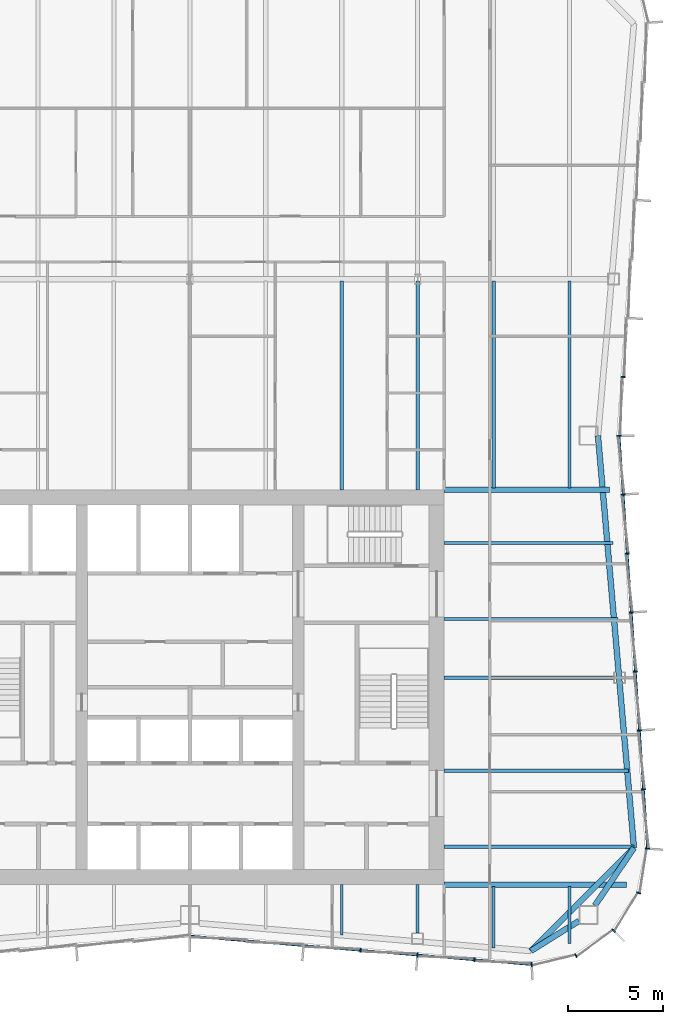
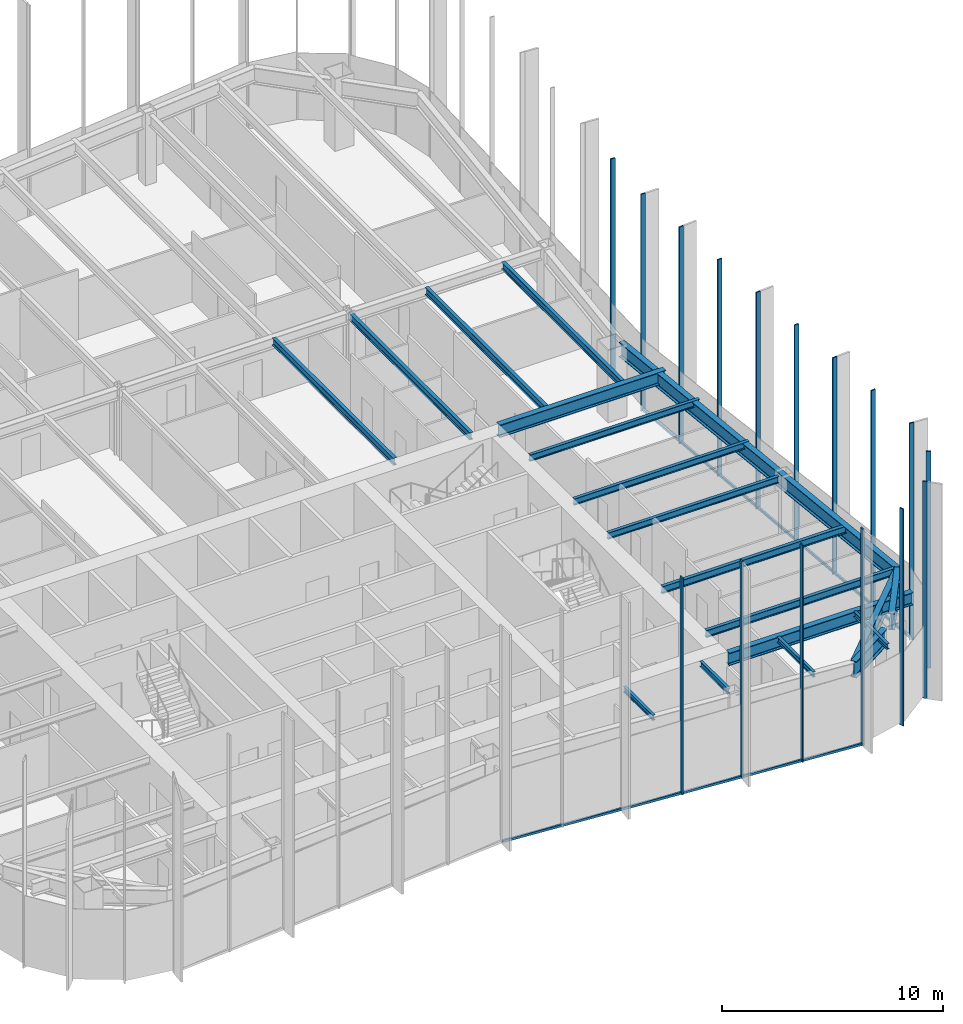
# One storey, part 5 of 15: 19 beams, 18 members, 3 elements without a shape of their own.
"""IFC4 building model written with IfcOpenShell, lengths in metres."""

from ifc_helpers import new_model, si_unit, direction, frame, origin, origin_2d, place, context, subcontext, project, spatial, rectangle, i_section, extrude, material, material_profile, profile_set, type_object, element, aggregate, save


model = new_model("IFC4")

# Units and contexts
model_context = context("Model", 3, precision=1e-05, world=origin(), true_north=direction((0.0, 1.0)))
body_context = subcontext(model_context, "Body", "Model", "MODEL_VIEW")
ifc_project = project(units=[si_unit("LENGTHUNIT", "METRE"), si_unit("AREAUNIT", "SQUARE_METRE"), si_unit("VOLUMEUNIT", "CUBIC_METRE"), si_unit("PLANEANGLEUNIT", "RADIAN"), si_unit("MASSUNIT", "GRAM", prefix="KILO")], contexts=[model_context])

# Site, building, storey
site_placement = place(None, origin())
site = spatial("IfcSite", under=ifc_project, at=site_placement, CompositionType="ELEMENT")
building_placement = place(site_placement, origin())
building = spatial("IfcBuilding", under=site, at=building_placement, Name="Verdant Reach Tower", CompositionType="ELEMENT")
storey_placement = place(building_placement, frame((0.0, 0.0, 262.0)))
storey = spatial("IfcBuildingStorey", under=building, at=storey_placement, Name="L60", CompositionType="ELEMENT", Elevation=262.0)

# Curtain wall, members
ifc_material_1 = material(Name="Anodised aluminium", Category="aluminium")
curtain_wall_type = type_object("IfcCurtainWallType", Name="EN-CW SYSTEM Z4", PredefinedType="NOTDEFINED", material=ifc_material_1)
curtain_wall_1_placement = place(storey_placement, origin())
curtain_wall_1 = element("IfcCurtainWall", 1, at=curtain_wall_1_placement, inside=storey, type_object=curtain_wall_type, Name="Curtain wall south-east corner, L60", PredefinedType="NOTDEFINED")
ifc_material_profile_1 = material_profile(ifc_material_1, rectangle(XDim=0.22412109375, YDim=0.068115234375, at=origin_2d()), Name="Mullion 68x224")
ifc_profile_set_1 = profile_set([ifc_material_profile_1], Name="Anodised aluminium")
member_type_1 = type_object("IfcMemberType", Name="EN-MULLION Z4", PredefinedType="MULLION", material=ifc_profile_set_1)
member_1_placement = place(storey_placement, frame((18.00634765625, 13.38818359375, -0.35009765625), z_axis=(0.0, 0.0, 1.0), x_axis=(0.056569187765, -0.998398681387, 0.0)))
member_1 = element("IfcMember", 2, at=member_1_placement, type_object=member_type_1, Name="Mullion south-east corner 1, L60", PredefinedType="MULLION", context=body_context, shape_type="SweptSolid", body=[
    extrude(rectangle(XDim=0.22412109375, YDim=0.068115234375, at=origin_2d()), origin(), (0.0, 0.0, 1.0), 12.0),
])
member_2_placement = place(storey_placement, frame((20.3388671875, 13.853271484375, -0.35009765625), z_axis=(0.0, 0.0, 1.0), x_axis=(0.382693853776, -0.923875215753, 0.0)))
member_2 = element("IfcMember", 3, at=member_2_placement, type_object=member_type_1, Name="Mullion south-east corner 2, L60", PredefinedType="MULLION", context=body_context, shape_type="SweptSolid", body=[
    extrude(rectangle(XDim=0.22412109375, YDim=0.068115234375, at=origin_2d()), origin(), (0.0, 0.0, 1.0), 12.0),
])
member_3_placement = place(storey_placement, frame((22.32177734375, 15.17822265625, -0.35009765625), z_axis=(0.0, 0.0, 1.0), x_axis=(0.707106781187, -0.707106781187, 0.0)))
member_3 = element("IfcMember", 4, at=member_3_placement, type_object=member_type_1, Name="Mullion south-east corner 3, L60", PredefinedType="MULLION", context=body_context, shape_type="SweptSolid", body=[
    extrude(rectangle(XDim=0.22412109375, YDim=0.068115234375, at=origin_2d()), origin(), (0.0, 0.0, 1.0), 12.0),
])
member_4_placement = place(storey_placement, frame((23.646728515625, 17.1611328125, -0.35009765625), z_axis=(0.0, 0.0, 1.0), x_axis=(0.923875215753, -0.382693853776, 0.0)))
member_4 = element("IfcMember", 5, at=member_4_placement, type_object=member_type_1, Name="Mullion south-east corner 4, L60", PredefinedType="MULLION", context=body_context, shape_type="SweptSolid", body=[
    extrude(rectangle(XDim=0.22412109375, YDim=0.068115234375, at=origin_2d()), origin(), (0.0, 0.0, 1.0), 12.0),
])
aggregate(curtain_wall_1, [member_1, member_2, member_3, member_4])

curtain_wall_2_placement = place(storey_placement, origin())
curtain_wall_2 = element("IfcCurtainWall", 6, at=curtain_wall_2_placement, inside=storey, type_object=curtain_wall_type, Name="Curtain wall east, L60", PredefinedType="NOTDEFINED")
member_5_placement = place(storey_placement, frame((24.11181640625, 19.492919921875, -0.35009765625), z_axis=(0.0, 0.0, 1.0), x_axis=(0.997969180898, -0.063698618332, 0.0)))
member_5 = element("IfcMember", 7, at=member_5_placement, type_object=member_type_1, Name="Mullion east face part 1 1, L60", PredefinedType="MULLION", context=body_context, shape_type="SweptSolid", body=[
    extrude(rectangle(XDim=0.22412109375, YDim=0.068115234375, at=origin_2d()), origin(), (0.0, 0.0, 1.0), 12.0),
])
member_6_placement = place(storey_placement, frame((23.8974609375, 22.61474609375, -0.35009765625), z_axis=(0.0, 0.0, 1.0), x_axis=(0.997630328423, 0.068802091615, 0.0)))
member_6 = element("IfcMember", 8, at=member_6_placement, type_object=member_type_1, Name="Mullion east face part 1 2, L60", PredefinedType="MULLION", context=body_context, shape_type="SweptSolid", body=[
    extrude(rectangle(XDim=0.22412109375, YDim=0.068115234375, at=origin_2d()), origin(), (0.0, 0.0, 1.0), 12.0),
])
member_7_placement = place(storey_placement, frame((23.68310546875, 25.721923828125, -0.35009765625), z_axis=(0.0, 0.0, 1.0), x_axis=(0.997630328423, 0.068802091615, 0.0)))
member_7 = element("IfcMember", 9, at=member_7_placement, type_object=member_type_1, Name="Mullion east face part 1 3, L60", PredefinedType="MULLION", context=body_context, shape_type="SweptSolid", body=[
    extrude(rectangle(XDim=0.22412109375, YDim=0.068115234375, at=origin_2d()), origin(), (0.0, 0.0, 1.0), 12.0),
])
member_8_placement = place(storey_placement, frame((23.468994140625, 28.8291015625, -0.35009765625), z_axis=(0.0, 0.0, 1.0), x_axis=(0.997630328423, 0.068802091615, 0.0)))
member_8 = element("IfcMember", 10, at=member_8_placement, type_object=member_type_1, Name="Mullion east face part 1 4, L60", PredefinedType="MULLION", context=body_context, shape_type="SweptSolid", body=[
    extrude(rectangle(XDim=0.22412109375, YDim=0.068115234375, at=origin_2d()), origin(), (0.0, 0.0, 1.0), 12.0),
])
member_9_placement = place(storey_placement, frame((23.254638671875, 31.936279296875, -0.35009765625), z_axis=(0.0, 0.0, 1.0), x_axis=(0.997630328423, 0.068802091615, 0.0)))
member_9 = element("IfcMember", 11, at=member_9_placement, type_object=member_type_1, Name="Mullion east face part 1 5, L60", PredefinedType="MULLION", context=body_context, shape_type="SweptSolid", body=[
    extrude(rectangle(XDim=0.22412109375, YDim=0.068115234375, at=origin_2d()), origin(), (0.0, 0.0, 1.0), 12.0),
])
member_10_placement = place(storey_placement, frame((23.040283203125, 35.04345703125, -0.35009765625), z_axis=(0.0, 0.0, 1.0), x_axis=(0.997630328423, 0.068802091615, 0.0)))
member_10 = element("IfcMember", 12, at=member_10_placement, type_object=member_type_1, Name="Mullion east face part 1 6, L60", PredefinedType="MULLION", context=body_context, shape_type="SweptSolid", body=[
    extrude(rectangle(XDim=0.22412109375, YDim=0.068115234375, at=origin_2d()), origin(), (0.0, 0.0, 1.0), 12.0),
])
member_11_placement = place(storey_placement, frame((22.825927734375, 38.150634765625, -0.35009765625), z_axis=(0.0, 0.0, 1.0), x_axis=(0.997630328423, 0.068802091615, 0.0)))
member_11 = element("IfcMember", 13, at=member_11_placement, type_object=member_type_1, Name="Mullion east face part 1 7, L60", PredefinedType="MULLION", context=body_context, shape_type="SweptSolid", body=[
    extrude(rectangle(XDim=0.22412109375, YDim=0.068115234375, at=origin_2d()), origin(), (0.0, 0.0, 1.0), 12.0),
])
member_12_placement = place(storey_placement, frame((22.612060546875, 41.25, -0.35009765625), z_axis=(0.0, 0.0, 1.0), x_axis=(1.0, 0.0, 0.0)))
member_12 = element("IfcMember", 14, at=member_12_placement, type_object=member_type_1, Name="Mullion east face part 2 1, L60", PredefinedType="MULLION", context=body_context, shape_type="SweptSolid", body=[
    extrude(rectangle(XDim=0.22412109375, YDim=0.068115234375, at=origin_2d()), origin(), (0.0, 0.0, 1.0), 12.0),
])
member_13_placement = place(storey_placement, frame((22.825927734375, 44.349365234375, -0.35009765625), z_axis=(0.0, 0.0, 1.0), x_axis=(0.997630328423, -0.068802091615, 0.0)))
member_13 = element("IfcMember", 15, at=member_13_placement, type_object=member_type_1, Name="Mullion east face part 2 2, L60", PredefinedType="MULLION", context=body_context, shape_type="SweptSolid", body=[
    extrude(rectangle(XDim=0.22412109375, YDim=0.068115234375, at=origin_2d()), origin(), (0.0, 0.0, 1.0), 12.0),
])

curtain_wall_3_placement = place(storey_placement, origin())
curtain_wall_3 = element("IfcCurtainWall", 16, at=curtain_wall_3_placement, inside=storey, type_object=curtain_wall_type, Name="Curtain wall south, L60", PredefinedType="NOTDEFINED")
member_14_placement = place(storey_placement, frame((8.99072265625, 14.138427734375, -0.35009765625), z_axis=(0.0, 0.0, 1.0), x_axis=(-0.083045479859, -0.996545758244, 0.0)))
member_14 = element("IfcMember", 17, at=member_14_placement, type_object=member_type_1, Name="Mullion south face part 2 4, L60", PredefinedType="MULLION", context=body_context, shape_type="SweptSolid", body=[
    extrude(rectangle(XDim=0.22412109375, YDim=0.068115234375, at=origin_2d()), origin(), (0.0, 0.0, 1.0), 12.0),
])
member_15_placement = place(storey_placement, frame((11.99072265625, 13.888427734375, -0.35009765625), z_axis=(0.0, 0.0, 1.0), x_axis=(-0.083045479859, -0.996545758244, 0.0)))
member_15 = element("IfcMember", 18, at=member_15_placement, type_object=member_type_1, Name="Mullion south face part 2 5, L60", PredefinedType="MULLION", context=body_context, shape_type="SweptSolid", body=[
    extrude(rectangle(XDim=0.22412109375, YDim=0.068115234375, at=origin_2d()), origin(), (0.0, 0.0, 1.0), 12.0),
])
member_16_placement = place(storey_placement, frame((14.99072265625, 13.638427734375, -0.35009765625), z_axis=(0.0, 0.0, 1.0), x_axis=(-0.083045479859, -0.996545758244, 0.0)))
member_16 = element("IfcMember", 19, at=member_16_placement, type_object=member_type_1, Name="Mullion south face part 2 6, L60", PredefinedType="MULLION", context=body_context, shape_type="SweptSolid", body=[
    extrude(rectangle(XDim=0.22412109375, YDim=0.068115234375, at=origin_2d()), origin(), (0.0, 0.0, 1.0), 12.0),
])

# Member
ifc_material_profile_2 = material_profile(ifc_material_1, rectangle(XDim=0.10009765625, YDim=0.1279296875, at=origin_2d()), Name="Transom 128x100")
ifc_profile_set_2 = profile_set([ifc_material_profile_2], Name="Anodised aluminium")
member_type_2 = type_object("IfcMemberType", Name="EN-TRANSOM Z4", PredefinedType="USERDEFINED", material=ifc_profile_set_2)
member_17_placement = place(storey_placement, frame((24.109375, 19.52685546875, -0.285888671875), z_axis=(-0.068770489035, 0.997632507408, 0.0), x_axis=(-0.997632507408, -0.068770489035, 0.0)))
member_17 = element("IfcMember", 20, at=member_17_placement, type_object=member_type_2, Name="Transom east face part 1 1.1, L60", ObjectType="TRANSOM", PredefinedType="USERDEFINED", context=body_context, shape_type="SweptSolid", body=[
    extrude(rectangle(XDim=0.10009765625, YDim=0.1279296875, at=origin_2d()), origin(), (0.0, 0.0, 1.0), 21.74072265625),
])

aggregate(curtain_wall_2, [member_5, member_6, member_7, member_8, member_9, member_10, member_11, member_17, member_12, member_13])

member_18_placement = place(storey_placement, frame((0.033935546875, 14.88525390625, -0.285888671875), z_axis=(0.996549124771, -0.083005071637, 0.0), x_axis=(0.083005071637, 0.996549124771, 0.0)))
member_18 = element("IfcMember", 21, at=member_18_placement, type_object=member_type_2, Name="Transom south face part 2 1.1, L60", ObjectType="TRANSOM", PredefinedType="USERDEFINED", context=body_context, shape_type="SweptSolid", body=[
    extrude(rectangle(XDim=0.10009765625, YDim=0.1279296875, at=origin_2d()), origin(), (0.0, 0.0, 1.0), 18.00048828125),
])

aggregate(curtain_wall_3, [member_14, member_15, member_16, member_18])

# Beams
ifc_material_2 = material(Name="Steel S355", Category="steel")
ifc_material_profile_3 = material_profile(ifc_material_2, i_section(OverallWidth=0.300048828125, OverallDepth=0.699951171875, WebThickness=0.01708984375, FlangeThickness=0.031982421875, FilletRadius=0.027099609375, at=origin_2d()), Name="HEB 700")
ifc_profile_set_3 = profile_set([ifc_material_profile_3], Name="Steel S355")
beam_type_1 = type_object("IfcBeamType", Name="ST-BEAM-HEB700", PredefinedType="BEAM", material=ifc_profile_set_3)
beam_1_placement = place(storey_placement, frame((13.39990234375, 38.39990234375, 3.52001953125), z_axis=(1.0, 0.0, 0.0), x_axis=(0.0, 1.0, 0.0)))
element("IfcBeam", 22, at=beam_1_placement, inside=storey, type_object=beam_type_1, Name="Trimmer beam, L60", PredefinedType="BEAM", context=body_context, shape_type="SweptSolid", body=[
    extrude(i_section(OverallWidth=0.300048828125, OverallDepth=0.699951171875, WebThickness=0.01708984375, FlangeThickness=0.031982421875, FilletRadius=0.027099609375, at=origin_2d()), origin(), (0.0, 0.0, 1.0), 8.6953125),
])
beam_2_placement = place(storey_placement, frame((13.39990234375, 17.60009765625, 3.52001953125), z_axis=(1.0, 0.0, 0.0), x_axis=(0.0, 1.0, 0.0)))
element("IfcBeam", 23, at=beam_2_placement, inside=storey, type_object=beam_type_1, Name="Trimmer beam, L60", PredefinedType="BEAM", context=body_context, shape_type="SweptSolid", body=[
    extrude(i_section(OverallWidth=0.300048828125, OverallDepth=0.699951171875, WebThickness=0.01708984375, FlangeThickness=0.031982421875, FilletRadius=0.027099609375, at=origin_2d()), origin(), (0.0, 0.0, 1.0), 9.6103515625),
])
ifc_material_profile_4 = material_profile(ifc_material_2, i_section(OverallWidth=0.302001953125, OverallDepth=0.909912109375, WebThickness=0.02099609375, FlangeThickness=0.0400390625, FilletRadius=0.030029296875, at=origin_2d()), Name="HEM 900")
ifc_profile_set_4 = profile_set([ifc_material_profile_4], Name="Steel S355")
beam_type_2 = type_object("IfcBeamType", Name="ST-BEAM-HEM900", PredefinedType="BEAM", material=ifc_profile_set_4)
beam_3_placement = place(storey_placement, frame((20.5, 15.687744140625, 3.4150390625), z_axis=(-0.848163521635, -0.529734500073, 0.0), x_axis=(0.529734500073, -0.848163521635, 0.0)))
element("IfcBeam", 24, at=beam_3_placement, inside=storey, type_object=beam_type_2, Name="Column stub beam, L60", PredefinedType="BEAM", context=body_context, shape_type="SweptSolid", body=[
    extrude(i_section(OverallWidth=0.302001953125, OverallDepth=0.909912109375, WebThickness=0.02099609375, FlangeThickness=0.0400390625, FilletRadius=0.030029296875, at=origin_2d()), origin(), (0.0, 0.0, 1.0), 2.98779296875),
])
beam_4_placement = place(storey_placement, frame((21.33837890625, 16.5, 3.4150390625), z_axis=(0.560703975309, 0.828016335631, 0.0), x_axis=(-0.828016335631, 0.560703975309, 0.0)))
element("IfcBeam", 25, at=beam_4_placement, inside=storey, type_object=beam_type_2, Name="Column stub beam, L60", PredefinedType="BEAM", context=body_context, shape_type="SweptSolid", body=[
    extrude(i_section(OverallWidth=0.302001953125, OverallDepth=0.909912109375, WebThickness=0.02099609375, FlangeThickness=0.0400390625, FilletRadius=0.030029296875, at=origin_2d()), origin(), (0.0, 0.0, 1.0), 3.669677734375),
])
ifc_material_profile_5 = material_profile(ifc_material_2, i_section(OverallWidth=0.14990234375, OverallDepth=0.300048828125, WebThickness=0.007080078125, FlangeThickness=0.0107421875, FilletRadius=0.014892578125, at=origin_2d()), Name="IPE 300")
ifc_profile_set_5 = profile_set([ifc_material_profile_5], Name="Steel S355")
beam_type_3 = type_object("IfcBeamType", Name="ST-JOIST-IPE300", PredefinedType="JOIST", material=ifc_profile_set_5)
beam_5_placement = place(storey_placement, frame((8.0, 17.60009765625, 3.719970703125), z_axis=(0.0, -1.0, 0.0), x_axis=(1.0, 0.0, 0.0)))
element("IfcBeam", 26, at=beam_5_placement, inside=storey, type_object=beam_type_3, Name="Floor joist, L60", PredefinedType="JOIST", context=body_context, shape_type="SweptSolid", body=[
    extrude(i_section(OverallWidth=0.14990234375, OverallDepth=0.300048828125, WebThickness=0.007080078125, FlangeThickness=0.0107421875, FilletRadius=0.014892578125, at=origin_2d()), origin(), (0.0, 0.0, 1.0), 2.664794921875),
])
beam_6_placement = place(storey_placement, frame((12.0, 17.60009765625, 3.719970703125), z_axis=(0.0, -1.0, 0.0), x_axis=(1.0, 0.0, 0.0)))
element("IfcBeam", 27, at=beam_6_placement, inside=storey, type_object=beam_type_3, Name="Floor joist, L60", PredefinedType="JOIST", context=body_context, shape_type="SweptSolid", body=[
    extrude(i_section(OverallWidth=0.14990234375, OverallDepth=0.300048828125, WebThickness=0.007080078125, FlangeThickness=0.0107421875, FilletRadius=0.014892578125, at=origin_2d()), origin(), (0.0, 0.0, 1.0), 2.550048828125),
])
beam_7_placement = place(storey_placement, frame((16.0, 17.5, 3.719970703125), z_axis=(0.0, -1.0, 0.0), x_axis=(1.0, 0.0, 0.0)))
element("IfcBeam", 28, at=beam_7_placement, inside=storey, type_object=beam_type_3, Name="Floor joist, L60", PredefinedType="JOIST", context=body_context, shape_type="SweptSolid", body=[
    extrude(i_section(OverallWidth=0.14990234375, OverallDepth=0.300048828125, WebThickness=0.007080078125, FlangeThickness=0.0107421875, FilletRadius=0.014892578125, at=origin_2d()), origin(), (0.0, 0.0, 1.0), 3.231201171875),
])
beam_8_placement = place(storey_placement, frame((20.0, 17.5, 3.719970703125), z_axis=(0.0, -1.0, 0.0), x_axis=(1.0, 0.0, 0.0)))
element("IfcBeam", 29, at=beam_8_placement, inside=storey, type_object=beam_type_3, Name="Floor joist, L60", PredefinedType="JOIST", context=body_context, shape_type="SweptSolid", body=[
    extrude(i_section(OverallWidth=0.14990234375, OverallDepth=0.300048828125, WebThickness=0.007080078125, FlangeThickness=0.0107421875, FilletRadius=0.014892578125, at=origin_2d()), origin(), (0.0, 0.0, 1.0), 2.990478515625),
])
ifc_material_profile_6 = material_profile(ifc_material_2, i_section(OverallWidth=0.169921875, OverallDepth=0.360107421875, WebThickness=0.008056640625, FlangeThickness=0.0126953125, FilletRadius=0.01806640625, at=origin_2d()), Name="IPE 360")
ifc_profile_set_6 = profile_set([ifc_material_profile_6], Name="Steel S355")
beam_type_4 = type_object("IfcBeamType", Name="ST-JOIST-IPE360", PredefinedType="JOIST", material=ifc_profile_set_6)
beam_9_placement = place(storey_placement, frame((13.39990234375, 28.5, 3.68994140625), z_axis=(1.0, 0.0, 0.0), x_axis=(0.0, 1.0, 0.0)))
element("IfcBeam", 30, at=beam_9_placement, inside=storey, type_object=beam_type_4, Name="Floor joist, L60", PredefinedType="JOIST", context=body_context, shape_type="SweptSolid", body=[
    extrude(i_section(OverallWidth=0.169921875, OverallDepth=0.360107421875, WebThickness=0.008056640625, FlangeThickness=0.0126953125, FilletRadius=0.01806640625, at=origin_2d()), origin(), (0.0, 0.0, 1.0), 8.929443359375),
])
beam_10_placement = place(storey_placement, frame((13.39990234375, 31.60009765625, 3.68994140625), z_axis=(1.0, 0.0, 0.0), x_axis=(0.0, 1.0, 0.0)))
element("IfcBeam", 31, at=beam_10_placement, inside=storey, type_object=beam_type_4, Name="Floor joist, L60", PredefinedType="JOIST", context=body_context, shape_type="SweptSolid", body=[
    extrude(i_section(OverallWidth=0.169921875, OverallDepth=0.360107421875, WebThickness=0.008056640625, FlangeThickness=0.0126953125, FilletRadius=0.01806640625, at=origin_2d()), origin(), (0.0, 0.0, 1.0), 9.164306640625),
])
beam_11_placement = place(storey_placement, frame((13.39990234375, 35.60009765625, 3.68994140625), z_axis=(1.0, 0.0, 0.0), x_axis=(0.0, 1.0, 0.0)))
element("IfcBeam", 32, at=beam_11_placement, inside=storey, type_object=beam_type_4, Name="Floor joist, L60", PredefinedType="JOIST", context=body_context, shape_type="SweptSolid", body=[
    extrude(i_section(OverallWidth=0.169921875, OverallDepth=0.360107421875, WebThickness=0.008056640625, FlangeThickness=0.0126953125, FilletRadius=0.01806640625, at=origin_2d()), origin(), (0.0, 0.0, 1.0), 8.88818359375),
])
ifc_material_profile_7 = material_profile(ifc_material_2, i_section(OverallWidth=0.179931640625, OverallDepth=0.39990234375, WebThickness=0.008544921875, FlangeThickness=0.013427734375, FilletRadius=0.02099609375, at=origin_2d()), Name="IPE 400")
ifc_profile_set_7 = profile_set([ifc_material_profile_7], Name="Steel S355")
beam_type_5 = type_object("IfcBeamType", Name="ST-JOIST-IPE400", PredefinedType="JOIST", material=ifc_profile_set_7)
for number, where, z_axis, x_axis, name in (
    (33, (8.0, 38.39990234375, 3.669921875), (0.0, 1.0, 0.0), (-1.0, 0.0, 0.0), "Floor joist, L60"),
    (34, (12.0, 38.39990234375, 3.669921875), (0.0, 1.0, 0.0), (-1.0, 0.0, 0.0), "Floor joist, L60"),
):
    element("IfcBeam", number, at=place(storey_placement, frame(where, z_axis=z_axis, x_axis=x_axis)), inside=storey, type_object=beam_type_5, Name=name, PredefinedType="JOIST", context=body_context, shape_type="SweptSolid", body=[
        extrude(i_section(OverallWidth=0.179931640625, OverallDepth=0.39990234375, WebThickness=0.008544921875, FlangeThickness=0.013427734375, FilletRadius=0.02099609375, at=origin_2d()), origin(), (0.0, 0.0, 1.0), 11.0),
    ])
for number, where, z_axis, x_axis, name in (
    (35, (16.0, 38.5, 3.669921875), (0.0, 1.0, 0.0), (-1.0, 0.0, 0.0), "Floor joist, L60"),
    (36, (20.0, 38.5, 3.669921875), (0.0, 1.0, 0.0), (-1.0, 0.0, 0.0), "Floor joist, L60"),
):
    element("IfcBeam", number, at=place(storey_placement, frame(where, z_axis=z_axis, x_axis=x_axis)), inside=storey, type_object=beam_type_5, Name=name, PredefinedType="JOIST", context=body_context, shape_type="SweptSolid", body=[
        extrude(i_section(OverallWidth=0.179931640625, OverallDepth=0.39990234375, WebThickness=0.008544921875, FlangeThickness=0.013427734375, FilletRadius=0.02099609375, at=origin_2d()), origin(), (0.0, 0.0, 1.0), 10.89990234375),
    ])
beam_12_placement = place(storey_placement, frame((13.39990234375, 19.60009765625, 3.669921875), z_axis=(1.0, 0.0, 0.0), x_axis=(0.0, 1.0, 0.0)))
element("IfcBeam", 37, at=beam_12_placement, inside=storey, type_object=beam_type_5, Name="Floor joist, L60", PredefinedType="JOIST", context=body_context, shape_type="SweptSolid", body=[
    extrude(i_section(OverallWidth=0.179931640625, OverallDepth=0.39990234375, WebThickness=0.008544921875, FlangeThickness=0.013427734375, FilletRadius=0.02099609375, at=origin_2d()), origin(), (0.0, 0.0, 1.0), 9.99169921875),
])
beam_13_placement = place(storey_placement, frame((13.39990234375, 23.60009765625, 3.669921875), z_axis=(1.0, 0.0, 0.0), x_axis=(0.0, 1.0, 0.0)))
element("IfcBeam", 38, at=beam_13_placement, inside=storey, type_object=beam_type_5, Name="Floor joist, L60", PredefinedType="JOIST", context=body_context, shape_type="SweptSolid", body=[
    extrude(i_section(OverallWidth=0.179931640625, OverallDepth=0.39990234375, WebThickness=0.008544921875, FlangeThickness=0.013427734375, FilletRadius=0.02099609375, at=origin_2d()), origin(), (0.0, 0.0, 1.0), 9.7158203125),
])
ifc_material_profile_8 = material_profile(ifc_material_2, i_section(OverallWidth=0.300048828125, OverallDepth=0.800048828125, WebThickness=0.017578125, FlangeThickness=0.032958984375, FilletRadius=0.030029296875, at=origin_2d()), Name="HEB 800")
ifc_profile_set_8 = profile_set([ifc_material_profile_8], Name="Steel S355")
beam_type_6 = type_object("IfcBeamType", Name="ST-SPANDREL-HEB800", PredefinedType="SPANDREL", material=ifc_profile_set_8)
beam_14_placement = place(storey_placement, frame((21.5, 41.25, 3.469970703125), z_axis=(0.086996024331, -0.996208658741, 0.0), x_axis=(0.996208658741, 0.086996024331, 0.0)))
element("IfcBeam", 39, at=beam_14_placement, inside=storey, type_object=beam_type_6, Name="Edge beam, L60", PredefinedType="SPANDREL", context=body_context, shape_type="SweptSolid", body=[
    extrude(i_section(OverallWidth=0.300048828125, OverallDepth=0.800048828125, WebThickness=0.017578125, FlangeThickness=0.032958984375, FilletRadius=0.030029296875, at=origin_2d()), origin(), (0.0, 0.0, 1.0), 21.7939453125),
])
ifc_material_profile_9 = material_profile(ifc_material_2, i_section(OverallWidth=0.302001953125, OverallDepth=0.909912109375, WebThickness=0.02099609375, FlangeThickness=0.0400390625, FilletRadius=0.030029296875, at=origin_2d()), Name="HEM 900")
ifc_profile_set_9 = profile_set([ifc_material_profile_9], Name="Steel S355")
beam_type_7 = type_object("IfcBeamType", Name="ST-SPANDREL-HEM900", PredefinedType="SPANDREL", material=ifc_profile_set_9)
beam_15_placement = place(storey_placement, frame((23.39599609375, 19.53857421875, 3.4150390625), z_axis=(-0.706884275642, -0.707329216738, 0.0), x_axis=(0.707329216738, -0.706884275642, 0.0)))
element("IfcBeam", 40, at=beam_15_placement, inside=storey, type_object=beam_type_7, Name="Edge beam, L60", PredefinedType="SPANDREL", context=body_context, shape_type="SweptSolid", body=[
    extrude(i_section(OverallWidth=0.302001953125, OverallDepth=0.909912109375, WebThickness=0.02099609375, FlangeThickness=0.0400390625, FilletRadius=0.030029296875, at=origin_2d()), origin(), (0.0, 0.0, 1.0), 7.681884765625),
])

save(model, "model.ifc")
